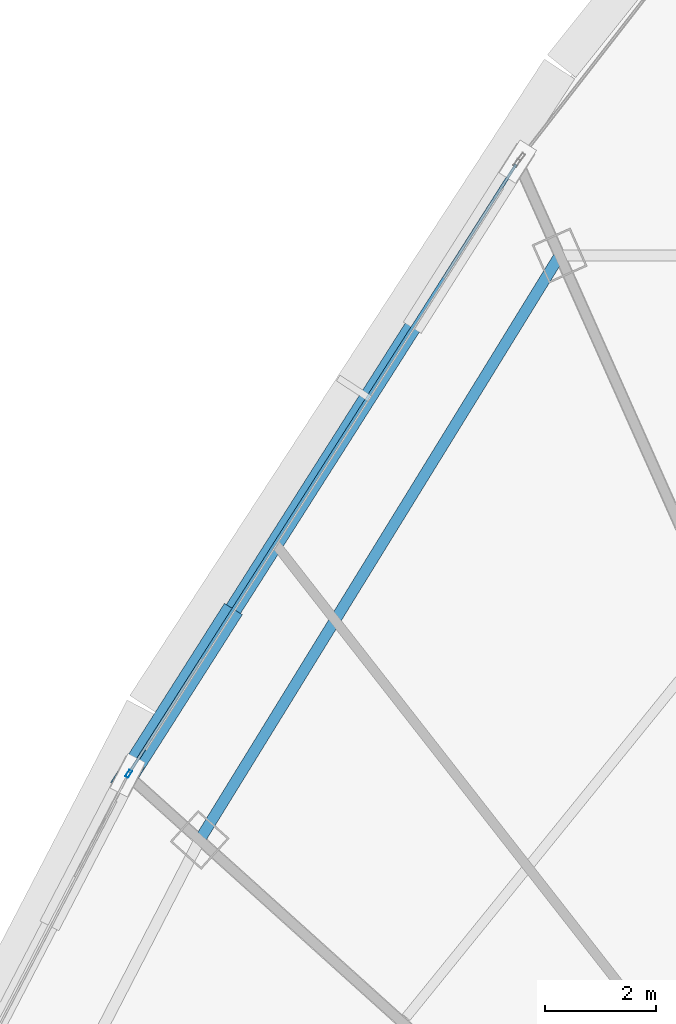
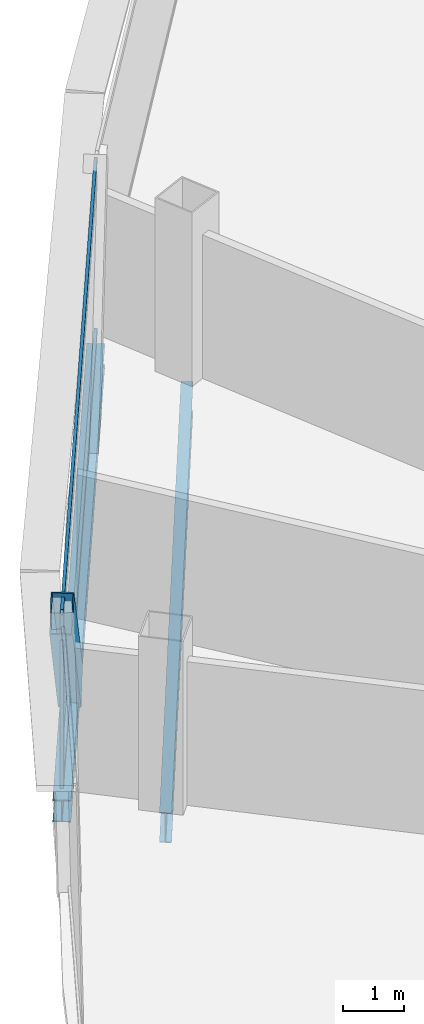
# One storey, part 19 of 35: 4 members, 2 beams, 1 element without a shape of its own.
"""IFC4 building model written with IfcOpenShell, lengths in metres."""

import ifcopenshell
import ifcopenshell.guid

model = None  # the IFC model being written
_history = None  # IfcOwnerHistory: only IFC2X3 demands one
_inside = {}  # id of a spatial element -> (the spatial element, [elements in it])
_under = {}  # id of a project, library or spatial element -> (it, [spatial elements below it])
_declared = {}  # id of a project -> (the project, [libraries it declares])
_typed = {}  # id of a type object -> (the type object, [elements of that type])
_made_of = {}  # id of a material, layer set ... -> (it, [elements and type objects made of it])


def new_model(schema):
    """Start an empty IFC model of exactly this schema.

    Asked for "IFC4X3", IfcOpenShell would pick the latest addendum, in which some entities
    have other attributes; the version numbers below select the first issue.
    IFC2X3 requires an IfcOwnerHistory on every rooted entity: one is made here for all.
    """
    global model, _history
    if schema == "IFC4X3":
        model = ifcopenshell.file(schema_version=(4, 3, 0, 0))
    else:
        model = ifcopenshell.file(schema=schema)
    _inside.clear()
    _under.clear()
    _declared.clear()
    _typed.clear()
    _made_of.clear()
    _history = None
    if model.schema == "IFC2X3":
        org = make("IfcOrganization", Name="unknown")
        user = make(
            "IfcPersonAndOrganization",
            ThePerson=make("IfcPerson", FamilyName="unknown"),
            TheOrganization=org,
        )
        app = make(
            "IfcApplication",
            ApplicationDeveloper=org,
            Version="unknown",
            ApplicationFullName="unknown",
            ApplicationIdentifier="unknown",
        )
        _history = make(
            "IfcOwnerHistory",
            OwningUser=user,
            OwningApplication=app,
            ChangeAction="ADDED",
            CreationDate=0,
        )
    return model


def make(cls, **values):
    """One entity of the class cls with the attributes given. An attribute that is None is left unset."""
    return model.create_entity(
        cls, **{name: value for name, value in values.items() if value is not None}
    )


def rooted(cls, **values):
    """An entity with a GlobalId (a new one), such as an element, a storey or a relation."""
    return make(cls, GlobalId=ifcopenshell.guid.new(), OwnerHistory=_history, **values)


def si_unit(unit_type, name, prefix=None):
    """IfcSIUnit, for example si_unit("LENGTHUNIT", "METRE", prefix="MILLI")."""
    return make("IfcSIUnit", UnitType=unit_type, Prefix=prefix, Name=name)


def assignment(units):
    """IfcUnitAssignment: the units of a project."""
    return None if units is None else make("IfcUnitAssignment", Units=units)


def point(xyz):
    """IfcCartesianPoint."""
    return None if xyz is None else make("IfcCartesianPoint", Coordinates=xyz)


def direction(xyz):
    """IfcDirection."""
    return None if xyz is None else make("IfcDirection", DirectionRatios=xyz)


def frame(location, z_axis=None, x_axis=None):
    """IfcAxis2Placement3D, a coordinate frame: its origin and axes. An axis left out is left unset."""
    return make(
        "IfcAxis2Placement3D",
        Location=point(location),
        Axis=direction(z_axis),
        RefDirection=direction(x_axis),
    )


def frame_2d(location, x_axis=None):
    """IfcAxis2Placement2D, a coordinate frame in the plane: its origin and x axis."""
    return make(
        "IfcAxis2Placement2D", Location=point(location), RefDirection=direction(x_axis)
    )


def origin():
    """The frame at (0, 0, 0) with its axes left unset."""
    return frame((0.0, 0.0, 0.0))


def origin_2d():
    """The frame at (0, 0) in the plane with its x axis left unset."""
    return frame_2d((0.0, 0.0))


def place(relative_to, where):
    """IfcLocalPlacement: puts the frame where relative to a parent placement (None: the world)."""
    return make(
        "IfcLocalPlacement", PlacementRelTo=relative_to, RelativePlacement=where
    )


def context(
    kind, dimensions, precision=None, world=None, true_north=None, identifier=None
):
    """IfcGeometricRepresentationContext, for example the 3D "Model" context."""
    return make(
        "IfcGeometricRepresentationContext",
        ContextIdentifier=identifier,
        ContextType=kind,
        CoordinateSpaceDimension=dimensions,
        Precision=precision,
        WorldCoordinateSystem=world,
        TrueNorth=true_north,
    )


def subcontext(parent, identifier, kind, view, scale=None):
    """IfcGeometricRepresentationSubContext, for example "Body" below "Model"."""
    return make(
        "IfcGeometricRepresentationSubContext",
        ContextIdentifier=identifier,
        ContextType=kind,
        ParentContext=parent,
        TargetScale=scale,
        TargetView=view,
    )


def project(units=None, contexts=None):
    """IfcProject with its units and contexts."""
    return rooted(
        "IfcProject",
        Name="project",
        RepresentationContexts=contexts,
        UnitsInContext=assignment(units),
    )


def spatial(cls, under=None, at=None, **own):
    """A site, building, storey or space (cls), placed at a placement, below another one or the project."""
    s = rooted(cls, ObjectPlacement=at, **own)
    if under is not None:
        _under.setdefault(under.id(), (under, []))[1].append(s)
    return s


def profile(cls, at=None, kind="AREA", **sizes):
    """A parametric profile (cls). Its sizes go by their IFC names, for example OverallWidth=200.0."""
    return make(cls, ProfileType=kind, Position=at, **sizes)


def hollow_rectangle(**sizes):
    """IfcRectangleHollowProfileDef."""
    return profile("IfcRectangleHollowProfileDef", **sizes)


def i_section(**sizes):
    """IfcIShapeProfileDef."""
    return profile("IfcIShapeProfileDef", **sizes)


def extrude(swept, where, along, depth):
    """IfcExtrudedAreaSolid: the profile swept, set in the frame where, extruded along a direction by depth."""
    return make(
        "IfcExtrudedAreaSolid",
        SweptArea=swept,
        Position=where,
        ExtrudedDirection=direction(along),
        Depth=depth,
    )


def shape(context_of_items, identifier, shape_type, items):
    """IfcShapeRepresentation: the items that make up one representation, for example the "Body"."""
    return make(
        "IfcShapeRepresentation",
        ContextOfItems=context_of_items,
        RepresentationIdentifier=identifier,
        RepresentationType=shape_type,
        Items=items,
    )


def source(mapping_origin, context_of_items, identifier, shape_type, items):
    """IfcRepresentationMap: a shape defined once, which mapped items show again and again."""
    return make(
        "IfcRepresentationMap",
        MappingOrigin=mapping_origin,
        MappedRepresentation=shape(context_of_items, identifier, shape_type, items),
    )


def transform(
    local_origin,
    x_axis=None,
    y_axis=None,
    z_axis=None,
    scale=None,
    scale2=None,
    scale3=None,
    uniform=True,
):
    """IfcCartesianTransformationOperator3D, or its non-uniform kind. x_axis, y_axis, z_axis: its Axis1, 2, 3."""
    if uniform:
        return make(
            "IfcCartesianTransformationOperator3D",
            Axis1=direction(x_axis),
            Axis2=direction(y_axis),
            LocalOrigin=point(local_origin),
            Scale=scale,
            Axis3=direction(z_axis),
        )
    return make(
        "IfcCartesianTransformationOperator3DnonUniform",
        Axis1=direction(x_axis),
        Axis2=direction(y_axis),
        LocalOrigin=point(local_origin),
        Scale=scale,
        Axis3=direction(z_axis),
        Scale2=scale2,
        Scale3=scale3,
    )


def mapped(mapping_source, mapping_target):
    """IfcMappedItem: shows the shape of a source again, moved by a transform."""
    return make(
        "IfcMappedItem", MappingSource=mapping_source, MappingTarget=mapping_target
    )


def material(Name=None, Category=None):
    """IfcMaterial."""
    return make("IfcMaterial", Name=Name, Category=Category)


def layer(
    of_material, thickness, ventilated=None, Name=None, Category=None, Priority=None
):
    """IfcMaterialLayer: one layer of a wall or slab, of a material (None: an air gap)."""
    return make(
        "IfcMaterialLayer",
        Material=of_material,
        LayerThickness=thickness,
        IsVentilated=ventilated,
        Name=Name,
        Category=Category,
        Priority=Priority,
    )


def layer_set(layers, Name=None):
    """IfcMaterialLayerSet."""
    return make("IfcMaterialLayerSet", MaterialLayers=layers, LayerSetName=Name)


def material_profile(
    of_material, cross_section, Name=None, Category=None, Priority=None
):
    """IfcMaterialProfile: a cross section and its material."""
    return make(
        "IfcMaterialProfile",
        Name=Name,
        Material=of_material,
        Profile=cross_section,
        Priority=Priority,
        Category=Category,
    )


def profile_set(profiles, Name=None, composite=None):
    """IfcMaterialProfileSet."""
    return make(
        "IfcMaterialProfileSet",
        Name=Name,
        MaterialProfiles=profiles,
        CompositeProfile=composite,
    )


def made_of(thing, what):
    """Note that an element or type object is made of a material, layer set ...; save() writes the relation."""
    if what is not None:
        _made_of.setdefault(what.id(), (what, []))[1].append(thing)
    return thing


def type_object(cls, material=None, **own):
    """A type object (cls), such as IfcWallType, which elements share."""
    return made_of(rooted(cls, **own), material)


def element(
    cls,
    number,
    at=None,
    inside=None,
    cuts=None,
    type_object=None,
    material=None,
    context=None,
    identifier="Body",
    shape_type=None,
    held_by="IfcProductDefinitionShape",
    body=None,
    shapes=None,
    **own,
):
    """One element of the class cls, such as IfcWall. Its Tag is "e" and its number.

    at: its placement. inside: the storey or other place that contains it. cuts: it is an
    opening in that element (IfcRelVoidsElement). A single representation is given by context,
    identifier, shape_type and body (its items); several are given by shapes. held_by: the class
    of the entity that holds the representations. save() writes the other relations.
    """
    e = rooted(cls, Tag="e%d" % number, ObjectPlacement=at, **own)
    if body is not None:
        shapes = [shape(context, identifier, shape_type, body)]
    if shapes is not None:
        e.Representation = make(held_by, Representations=shapes)
    if inside is not None:
        _inside.setdefault(inside.id(), (inside, []))[1].append(e)
    if cuts is not None:
        rooted(
            "IfcRelVoidsElement", RelatingBuildingElement=cuts, RelatedOpeningElement=e
        )
    if type_object is not None:
        _typed.setdefault(type_object.id(), (type_object, []))[1].append(e)
    return made_of(e, material)


def aggregate(whole, parts):
    """IfcRelAggregates: a whole, such as a stair, and the parts it consists of."""
    return rooted("IfcRelAggregates", RelatingObject=whole, RelatedObjects=parts)


def save(model, path):
    """Write the relations noted so far, then the file.

    IfcRelAggregates (storeys below a building ...), IfcRelContainedInSpatialStructure (elements
    in a storey), IfcRelDefinesByType, IfcRelAssociatesMaterial and IfcRelDeclares: one each for
    every whole, place, type object, material and project.
    """
    for whole, parts in _under.values():
        aggregate(whole, parts)
    for where, things in _inside.values():
        rooted(
            "IfcRelContainedInSpatialStructure",
            RelatedElements=things,
            RelatingStructure=where,
        )
    for kind, things in _typed.values():
        rooted("IfcRelDefinesByType", RelatedObjects=things, RelatingType=kind)
    for what, things in _made_of.values():
        rooted("IfcRelAssociatesMaterial", RelatedObjects=things, RelatingMaterial=what)
    for by, libraries in _declared.values():
        rooted("IfcRelDeclares", RelatingContext=by, RelatedDefinitions=libraries)
    model.write(path)


model = new_model("IFC4")

# Units and contexts
model_context = context("Model", 3, precision=1e-05, world=origin(), true_north=direction((0.0, 1.0)))
body_context = subcontext(model_context, "Body", "Model", "MODEL_VIEW")
ifc_project = project(units=[si_unit("LENGTHUNIT", "METRE"), si_unit("AREAUNIT", "SQUARE_METRE"), si_unit("VOLUMEUNIT", "CUBIC_METRE"), si_unit("PLANEANGLEUNIT", "RADIAN"), si_unit("MASSUNIT", "GRAM", prefix="KILO"), si_unit("THERMODYNAMICTEMPERATUREUNIT", "KELVIN"), si_unit("POWERUNIT", "WATT")], contexts=[model_context])

# Site, building, storey
site_placement = place(None, origin())
site = spatial("IfcSite", under=ifc_project, at=site_placement, CompositionType="ELEMENT")
building_placement = place(site_placement, origin())
building = spatial("IfcBuilding", under=site, at=building_placement, Name="Yunzhuo Pagoda Commons", CompositionType="ELEMENT")
storey_placement = place(building_placement, frame((0.0, 0.0, 299.93994140625)))
storey = spatial("IfcBuildingStorey", under=building, at=storey_placement, Name="L75", CompositionType="ELEMENT", Elevation=299.93994140625)

# Beams
ifc_material_1 = material(Name="Structural steel Q355B", Category="steel")
ifc_material_profile_1 = material_profile(ifc_material_1, i_section(OverallWidth=0.199951171875, OverallDepth=0.60009765625, WebThickness=0.010986328125, FlangeThickness=0.01708984375, at=origin_2d()), Name="Structural steel Q355B")
ifc_profile_set_1 = profile_set([ifc_material_profile_1], Name="Structural steel Q355B")
beam_type_1 = type_object("IfcBeamType", Name="B-RG3 Beam HN 600x200x11x17", PredefinedType="BEAM", material=ifc_profile_set_1)
shared_shape_1 = source(origin(), body_context, "Body", "SweptSolid", [
    extrude(i_section(OverallWidth=0.199951171875, OverallDepth=0.60009765625, WebThickness=0.010986328125, FlangeThickness=0.01708984375, at=origin_2d()), origin(), (0.0, 0.0, 1.0), 12.315185546875),
])
beam_1_placement = place(storey_placement, frame((35.8857421875, 60.9091796875, -0.56005859375), z_axis=(-0.524469015689, -0.851429534126, 0.0), x_axis=(0.851429534126, -0.524469015689, 0.0)))
element("IfcBeam", 1, at=beam_1_placement, inside=storey, type_object=beam_type_1, Name="L75 column-ring beam 9", PredefinedType="BEAM", context=body_context, shape_type="MappedRepresentation", body=[
    mapped(shared_shape_1, transform((0.0, 0.0, 0.0), scale=1.0)),
])
ifc_material_profile_2 = material_profile(ifc_material_1, i_section(OverallWidth=0.300048828125, OverallDepth=0.43994140625, WebThickness=0.010986328125, FlangeThickness=0.01806640625, at=origin_2d()), Name="Structural steel Q355B")
ifc_profile_set_2 = profile_set([ifc_material_profile_2], Name="Structural steel Q355B")
beam_type_2 = type_object("IfcBeamType", Name="B-SP2 Beam HM 440x300x11x18", PredefinedType="BEAM", material=ifc_profile_set_2)
shared_shape_2 = source(origin(), body_context, "Body", "SweptSolid", [
    extrude(i_section(OverallWidth=0.300048828125, OverallDepth=0.43994140625, WebThickness=0.010986328125, FlangeThickness=0.01806640625, at=origin_2d()), origin(), (0.0, 0.0, 1.0), 13.04541015625),
])
beam_2_placement = place(storey_placement, frame((35.135498046875, 62.593994140625, -0.47998046875), z_axis=(-0.536495198362, -0.84390337251, 0.0), x_axis=(0.84390337251, -0.536495198362, 0.0)))
element("IfcBeam", 2, at=beam_2_placement, inside=storey, type_object=beam_type_2, Name="L75 facade edge spandrel beam F3.1", PredefinedType="BEAM", context=body_context, shape_type="MappedRepresentation", body=[
    mapped(shared_shape_2, transform((0.0, 0.0, 0.0), scale=1.0)),
])

# Member
ifc_material_profile_3 = material_profile(ifc_material_1, hollow_rectangle(XDim=0.3798828125, YDim=0.719970703125, WallThickness=0.02001953125, at=origin_2d()), Name="Structural steel Q355B")
ifc_profile_set_3 = profile_set([ifc_material_profile_3], Name="Structural steel Q355B")
member_type_1 = type_object("IfcMemberType", Name="M-DL3 Brace BOX 720x380x20", PredefinedType="BRACE", material=ifc_profile_set_3)
shared_shape_3 = source(origin(), body_context, "Body", "SweptSolid", [
    extrude(hollow_rectangle(XDim=0.3798828125, YDim=0.719970703125, WallThickness=0.02001953125, at=origin_2d()), origin(), (0.0, 0.0, 1.0), 4.95458984375),
])
member_1_placement = place(storey_placement, frame((29.886474609375, 54.337158203125, -0.260009765625), z_axis=(-0.353151166465, -0.555472736091, 0.752817569591), x_axis=(0.843889512446, -0.53651699953, 0.0)))
element("IfcMember", 3, at=member_1_placement, inside=storey, type_object=member_type_1, Name="L75 facade diamond brace F3.1R", PredefinedType="BRACE", context=body_context, shape_type="MappedRepresentation", body=[
    mapped(shared_shape_3, transform((0.0, 0.0, 0.0), scale=1.0)),
])

# Curtain wall, members
ifc_material_2 = material(Name="Anodized aluminium 6063-T6", Category="aluminium")
ifc_layer = layer(ifc_material_2, 0.139892578125)
ifc_layer_set = layer_set([ifc_layer], Name="Anodized aluminium 6063-T6")
curtain_wall_type = type_object("IfcCurtainWallType", Name="CW-HI High-Zone Ribbon Curtain Wall", PredefinedType="NOTDEFINED", material=ifc_layer_set)
curtain_wall_placement = place(storey_placement, origin())
curtain_wall = element("IfcCurtainWall", 4, at=curtain_wall_placement, inside=storey, type_object=curtain_wall_type, Name="L75 curtain wall CW-L75-F3B2", PredefinedType="NOTDEFINED")
ifc_material_profile_4 = material_profile(ifc_material_2, hollow_rectangle(XDim=0.06005859375, YDim=0.139892578125, WallThickness=0.00341796875, at=origin_2d()), Name="Anodized aluminium 6063-T6")
ifc_profile_set_4 = profile_set([ifc_material_profile_4], Name="Anodized aluminium 6063-T6")
member_type_2 = type_object("IfcMemberType", Name="CW-HI-M Mullion RHS 140x60x3.5", PredefinedType="MULLION", material=ifc_profile_set_4)
shared_shape_4 = source(origin(), body_context, "Body", "SweptSolid", [
    extrude(hollow_rectangle(XDim=0.06005859375, YDim=0.139892578125, WallThickness=0.00341796875, at=origin_2d()), origin(), (0.0, 0.0, 1.0), 3.469970703125),
])
member_2_placement = place(storey_placement, frame((28.15283203125, 51.610107421875, 0.0), z_axis=(0.0, 0.0, 1.0), x_axis=(0.843909804597, -0.536485080599, 0.0)))
member_2 = element("IfcMember", 5, at=member_2_placement, type_object=member_type_2, Name="CW mullion 2", PredefinedType="MULLION", context=body_context, shape_type="MappedRepresentation", body=[
    mapped(shared_shape_4, transform((0.0, 0.0, 0.0), scale=1.0)),
])
ifc_material_profile_5 = material_profile(ifc_material_2, hollow_rectangle(XDim=0.054931640625, YDim=0.1201171875, WallThickness=0.00341796875, at=origin_2d()), Name="Anodized aluminium 6063-T6")
ifc_profile_set_5 = profile_set([ifc_material_profile_5], Name="Anodized aluminium 6063-T6")
member_type_3 = type_object("IfcMemberType", Name="CW-HI-T Transom RHS 120x55x3.5", PredefinedType="USERDEFINED", material=ifc_profile_set_5)
shared_shape_5 = source(origin(), body_context, "Body", "SweptSolid", [
    extrude(hollow_rectangle(XDim=0.054931640625, YDim=0.1201171875, WallThickness=0.00341796875, at=origin_2d()), origin(), (0.0, 0.0, 1.0), 12.925537109375),
])
member_3_placement = place(storey_placement, frame((35.103515625, 62.54345703125, 0.027587890625), z_axis=(-0.536497787374, -0.843901726591, 0.0), x_axis=(0.843901726591, -0.536497787374, 0.0)))
member_3 = element("IfcMember", 6, at=member_3_placement, type_object=member_type_3, Name="CW transom 1.1", ObjectType="TRANSOM", PredefinedType="USERDEFINED", context=body_context, shape_type="MappedRepresentation", body=[
    mapped(shared_shape_5, transform((0.0, 0.0, 0.0), scale=1.0)),
])
member_4_placement = place(storey_placement, frame((35.103515625, 62.54345703125, 3.442626953125), z_axis=(-0.536497787374, -0.843901726591, 0.0), x_axis=(0.843901726591, -0.536497787374, 0.0)))
member_4 = element("IfcMember", 7, at=member_4_placement, type_object=member_type_3, Name="CW transom 1.2", ObjectType="TRANSOM", PredefinedType="USERDEFINED", context=body_context, shape_type="MappedRepresentation", body=[
    mapped(shared_shape_5, transform((0.0, 0.0, 0.0), scale=1.0)),
])
aggregate(curtain_wall, [member_2, member_3, member_4])

save(model, "model.ifc")
